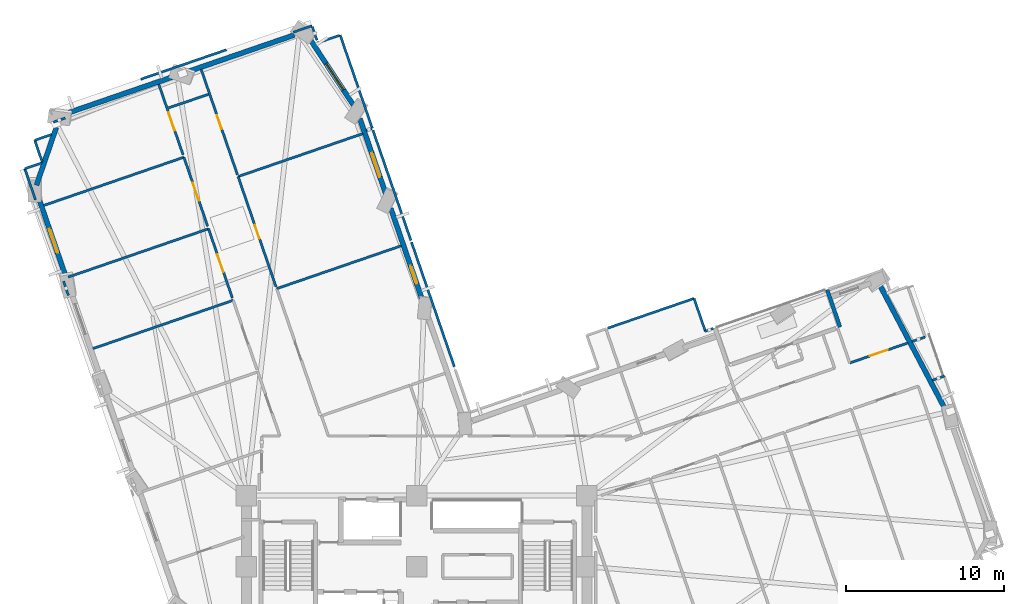
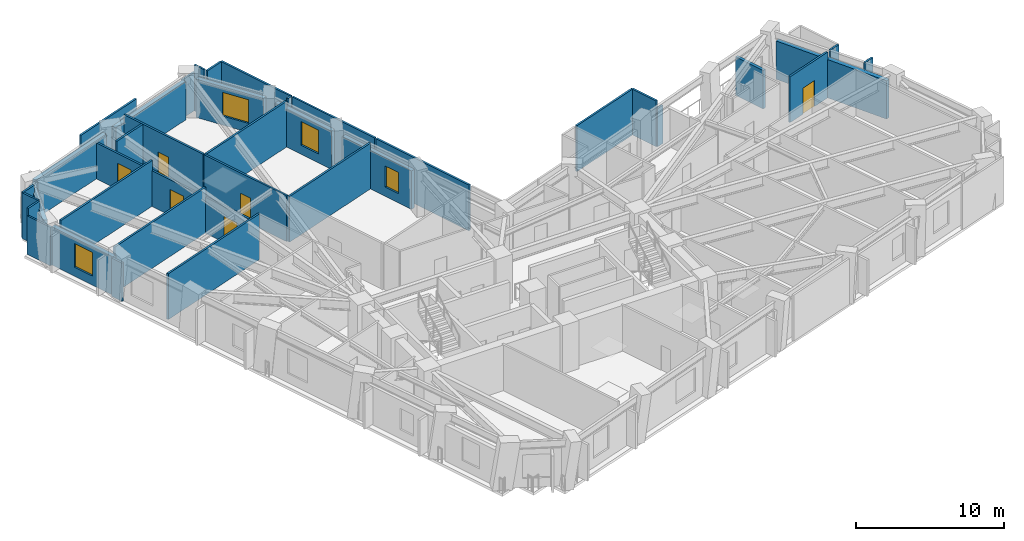
# One storey, part 10 of 15: 40 walls, 6 doors, 4 windows, 10 openings.
"""IFC4 building model written with IfcOpenShell, lengths in metres."""

from ifc_helpers import new_model, si_unit, direction, frame, frame_2d, origin, place, context, subcontext, project, spatial, rectangle, extrude, material, layer, layer_set, type_object, element, fill, save


model = new_model("IFC4")

# Units and contexts
model_context = context("Model", 3, precision=1e-05, world=origin(), true_north=direction((0.0, 1.0)))
body_context = subcontext(model_context, "Body", "Model", "MODEL_VIEW")
ifc_project = project(units=[si_unit("LENGTHUNIT", "METRE"), si_unit("AREAUNIT", "SQUARE_METRE"), si_unit("VOLUMEUNIT", "CUBIC_METRE"), si_unit("PLANEANGLEUNIT", "RADIAN"), si_unit("MASSUNIT", "GRAM", prefix="KILO")], contexts=[model_context])

# Site, building, storey
site_placement = place(None, origin())
site = spatial("IfcSite", under=ifc_project, at=site_placement, CompositionType="ELEMENT")
building_placement = place(site_placement, origin())
building = spatial("IfcBuilding", under=site, at=building_placement, Name="Gaonmaruhae Medical Tower", CompositionType="ELEMENT")
storey_placement = place(building_placement, frame((0.0, 0.0, 104.39990234375)))
storey = spatial("IfcBuildingStorey", under=building, at=storey_placement, Name="L24", CompositionType="ELEMENT", Elevation=104.39990234375)

# Walls
ifc_material_1 = material(Name="Precast concrete C45/55", Category="concrete")
ifc_layer_1 = layer(ifc_material_1, 0.239990234375)
ifc_layer_set_1 = layer_set([ifc_layer_1], Name="Precast concrete C45/55")
wall_type_1 = type_object("IfcWallType", Name="EW-240 Ribbon & Shelter Insulated Precast Wall", PredefinedType="SOLIDWALL", material=ifc_layer_set_1)
wall_1_placement = place(storey_placement, frame((51.65283203125, 27.483642578125, 0.0), z_axis=(0.0, 0.0, 1.0), x_axis=(-0.325587365823, 0.945511960377, 0.0)))
element("IfcWall", 1, at=wall_1_placement, inside=storey, type_object=wall_type_1, Name="L24 Recessed Terrace Enclosure Wall TERR", PredefinedType="SOLIDWALL", context=body_context, shape_type="SweptSolid", body=[
    extrude(rectangle(XDim=2.5, YDim=0.239990234375, at=frame_2d((1.25, 0.0))), origin(), (0.0, 0.0, 1.0), 3.1650390625),
])
ifc_layer_2 = layer(ifc_material_1, 0.320068359375)
ifc_layer_set_2 = layer_set([ifc_layer_2], Name="Precast concrete C45/55")
wall_type_2 = type_object("IfcWallType", Name="EW-320 Lower Precast Masonry-Frame Facade Wall", PredefinedType="SOLIDWALL", material=ifc_layer_set_2)
wall_2_placement = place(storey_placement, frame((54.187744140625, 30.12353515625, 0.0), z_axis=(0.0, 0.0, 1.0), x_axis=(0.466249594365, -0.884653217795, 0.0)))
element("IfcWall", 2, at=wall_2_placement, inside=storey, type_object=wall_type_2, Name="L24 Precast Masonry-Frame Wall E02-E03", PredefinedType="SOLIDWALL", context=body_context, shape_type="SweptSolid", body=[
    extrude(rectangle(XDim=8.837646484375, YDim=0.320068359375, at=frame_2d((4.4189453125, 0.0))), origin(), (0.0, 0.0, 1.0), 3.1650390625),
])

# Wall, opening, window
wall_3_placement = place(storey_placement, frame((23.154541015625, 35.017333984375, 0.0), z_axis=(0.0, 0.0, 1.0), x_axis=(0.325557790536, -0.94552214412, 0.0)))
wall_3 = element("IfcWall", 3, at=wall_3_placement, inside=storey, type_object=wall_type_2, Name="L24 Precast Masonry-Frame Wall NE01-NE02", PredefinedType="SOLIDWALL", context=body_context, shape_type="SweptSolid", body=[
    extrude(rectangle(XDim=6.222900390625, YDim=0.320068359375, at=frame_2d((3.111328125, 0.0))), origin(), (0.0, 0.0, 1.0), 3.1650390625),
])
opening_1_placement = place(wall_3_placement, frame((3.84619140625, 0.0, 0.75)))
opening_1 = element("IfcOpeningElement", 4, at=opening_1_placement, cuts=wall_3, Name="Opening WN-05", PredefinedType="OPENING", context=body_context, shape_type="SweptSolid", body=[
    extrude(rectangle(XDim=1.199951171875, YDim=1.75, at=frame_2d((0.60009765625, 0.875))), frame((0.0, 0.169921875, 0.0), z_axis=(0.0, -1.0, 0.0), x_axis=(1.0, 0.0, 0.0)), (0.0, 0.0, 1.0), 0.340087890625),
])
ifc_material_2 = material(Name="Anodised aluminium and Low-E double glazing", Category="aluminium")
window_type_1 = type_object("IfcWindowType", Name="WN-05 Support & Staff Punched Window 1200x1750", PartitioningType="SINGLE_PANEL", PredefinedType="WINDOW", material=ifc_material_2)
window_1_placement = place(opening_1_placement, origin())
window_1 = element("IfcWindow", 5, at=window_1_placement, inside=storey, type_object=window_type_1, Name="L24 Modular Facade Window NE01", OverallHeight=1.75, OverallWidth=1.199951171875, PartitioningType="SINGLE_PANEL", PredefinedType="WINDOW", context=body_context, shape_type="SweptSolid", body=[
    extrude(rectangle(XDim=1.199951171875, YDim=1.75, at=frame_2d((0.60009765625, 0.875))), frame((0.0, 0.030029296875, 0.0), z_axis=(0.0, -1.0, 0.0), x_axis=(1.0, 0.0, 0.0)), (0.0, 0.0, 1.0), 0.06005859375),
])
fill(opening_1, window_1)

wall_4_placement = place(storey_placement, frame((21.196533203125, 40.70361328125, 0.0), z_axis=(0.0, 0.0, 1.0), x_axis=(0.3255434245, -0.945527090445, 0.0)))
wall_4 = element("IfcWall", 6, at=wall_4_placement, inside=storey, type_object=wall_type_2, Name="L24 Precast Masonry-Frame Wall NE02-NE03", PredefinedType="SOLIDWALL", context=body_context, shape_type="SweptSolid", body=[
    extrude(rectangle(XDim=5.047119140625, YDim=0.320068359375, at=frame_2d((2.5234375, 0.0))), origin(), (0.0, 0.0, 1.0), 3.1650390625),
])
opening_2_placement = place(wall_4_placement, frame((2.302978515625, 0.0, 0.75)))
opening_2 = element("IfcOpeningElement", 7, at=opening_2_placement, cuts=wall_4, Name="Opening WN-01", PredefinedType="OPENING", context=body_context, shape_type="SweptSolid", body=[
    extrude(rectangle(XDim=1.60009765625, YDim=1.949951171875, at=frame_2d((0.800048828125, 0.97509765625))), frame((0.0, 0.169921875, 0.0), z_axis=(0.0, -1.0, 0.0), x_axis=(1.0, 0.0, 0.0)), (0.0, 0.0, 1.0), 0.340087890625),
])
window_type_2 = type_object("IfcWindowType", Name="WN-01 Ward Punched Acoustic Window 1600x1950", PartitioningType="SINGLE_PANEL", PredefinedType="WINDOW", material=ifc_material_2)
window_2_placement = place(opening_2_placement, origin())
window_2 = element("IfcWindow", 8, at=window_2_placement, inside=storey, type_object=window_type_2, Name="L24 Modular Facade Window NE02", OverallHeight=1.949951171875, OverallWidth=1.60009765625, PartitioningType="SINGLE_PANEL", PredefinedType="WINDOW", context=body_context, shape_type="SweptSolid", body=[
    extrude(rectangle(XDim=1.60009765625, YDim=1.949951171875, at=frame_2d((0.800048828125, 0.97509765625))), frame((0.0, 0.030029296875, 0.0), z_axis=(0.0, -1.0, 0.0), x_axis=(1.0, 0.0, 0.0)), (0.0, 0.0, 1.0), 0.06005859375),
])
fill(opening_2, window_2)

wall_5_placement = place(storey_placement, frame((17.955078125, 45.85986328125, 0.0), z_axis=(0.0, 0.0, 1.0), x_axis=(0.550210023936, -0.835026304712, 0.0)))
wall_5 = element("IfcWall", 9, at=wall_5_placement, inside=storey, type_object=wall_type_2, Name="L24 Precast Masonry-Frame Wall NE03-N01", PredefinedType="SOLIDWALL", context=body_context, shape_type="SweptSolid", body=[
    extrude(rectangle(XDim=5.128662109375, YDim=0.320068359375, at=frame_2d((2.564453125, 0.0))), origin(), (0.0, 0.0, 1.0), 3.1650390625),
])
opening_3_placement = place(wall_5_placement, frame((1.993408203125, 0.0, 0.75)))
opening_3 = element("IfcOpeningElement", 10, at=opening_3_placement, cuts=wall_5, Name="Opening WN-02", PredefinedType="OPENING", context=body_context, shape_type="SweptSolid", body=[
    extrude(rectangle(XDim=2.0, YDim=1.949951171875, at=frame_2d((1.0, 0.97509765625))), frame((0.0, 0.169921875, 0.0), z_axis=(0.0, -1.0, 0.0), x_axis=(1.0, 0.0, 0.0)), (0.0, 0.0, 1.0), 0.340087890625),
])
window_type_3 = type_object("IfcWindowType", Name="WN-02 Double-Bed Ward Punched Window 2000x1950", PartitioningType="SINGLE_PANEL", PredefinedType="WINDOW", material=ifc_material_2)
window_3_placement = place(opening_3_placement, origin())
window_3 = element("IfcWindow", 11, at=window_3_placement, inside=storey, type_object=window_type_3, Name="L24 Modular Facade Window NE03", OverallHeight=1.949951171875, OverallWidth=2.0, PartitioningType="SINGLE_PANEL", PredefinedType="WINDOW", context=body_context, shape_type="SweptSolid", body=[
    extrude(rectangle(XDim=2.0, YDim=1.949951171875, at=frame_2d((1.0, 0.97509765625))), frame((0.0, 0.030029296875, 0.0), z_axis=(0.0, -1.0, 0.0), x_axis=(1.0, 0.0, 0.0)), (0.0, 0.0, 1.0), 0.06005859375),
])
fill(opening_3, window_3)

# Walls
wall_6_placement = place(storey_placement, frame((10.202392578125, 43.659912109375, 0.0), z_axis=(0.0, 0.0, 1.0), x_axis=(0.945513903464, 0.325581723007, 0.0)))
element("IfcWall", 12, at=wall_6_placement, inside=storey, type_object=wall_type_2, Name="L24 Precast Masonry-Frame Wall N01-N02", PredefinedType="SOLIDWALL", context=body_context, shape_type="SweptSolid", body=[
    extrude(rectangle(XDim=7.23095703125, YDim=0.320068359375, at=frame_2d((3.615478515625, 0.0))), origin(), (0.0, 0.0, 1.0), 3.1650390625),
])
wall_7_placement = place(storey_placement, frame((2.426025390625, 40.982421875, 0.0), z_axis=(0.0, 0.0, 1.0), x_axis=(0.945517420699, 0.325571508512, 0.0)))
element("IfcWall", 13, at=wall_7_placement, inside=storey, type_object=wall_type_2, Name="L24 Precast Masonry-Frame Wall N02-N03", PredefinedType="SOLIDWALL", context=body_context, shape_type="SweptSolid", body=[
    extrude(rectangle(XDim=7.27001953125, YDim=0.320068359375, at=frame_2d((3.635009765625, 0.0))), origin(), (0.0, 0.0, 1.0), 3.1650390625),
])
wall_8_placement = place(storey_placement, frame((0.680419921875, 36.481689453125, 0.0), z_axis=(0.0, 0.0, 1.0), x_axis=(0.324313091485, 0.945949797131, 0.0)))
element("IfcWall", 14, at=wall_8_placement, inside=storey, type_object=wall_type_2, Name="L24 Precast Masonry-Frame Wall N03-W01", PredefinedType="SOLIDWALL", context=body_context, shape_type="SweptSolid", body=[
    extrude(rectangle(XDim=3.8896484375, YDim=0.320068359375, at=frame_2d((1.94482421875, 0.0))), origin(), (0.0, 0.0, 1.0), 3.1650390625),
])

# Wall, opening, window
wall_9_placement = place(storey_placement, frame((2.614990234375, 30.47314453125, 0.0), z_axis=(0.0, 0.0, 1.0), x_axis=(-0.325596232986, 0.94550890692, 0.0)))
wall_9 = element("IfcWall", 15, at=wall_9_placement, inside=storey, type_object=wall_type_2, Name="L24 Precast Masonry-Frame Wall W01-W02", PredefinedType="SOLIDWALL", context=body_context, shape_type="SweptSolid", body=[
    extrude(rectangle(XDim=5.455810546875, YDim=0.320068359375, at=frame_2d((2.72802734375, 0.0))), origin(), (0.0, 0.0, 1.0), 3.1650390625),
])
opening_4_placement = place(wall_9_placement, frame((1.828125, 0.0, 0.75)))
opening_4 = element("IfcOpeningElement", 16, at=opening_4_placement, cuts=wall_9, Name="Opening WN-01", PredefinedType="OPENING", context=body_context, shape_type="SweptSolid", body=[
    extrude(rectangle(XDim=1.60009765625, YDim=1.949951171875, at=frame_2d((0.800048828125, 0.97509765625))), frame((0.0, 0.169921875, 0.0), z_axis=(0.0, -1.0, 0.0), x_axis=(1.0, 0.0, 0.0)), (0.0, 0.0, 1.0), 0.340087890625),
])
window_4_placement = place(opening_4_placement, origin())
window_4 = element("IfcWindow", 17, at=window_4_placement, inside=storey, type_object=window_type_2, Name="L24 Modular Facade Window W01", OverallHeight=1.949951171875, OverallWidth=1.60009765625, PartitioningType="SINGLE_PANEL", PredefinedType="WINDOW", context=body_context, shape_type="SweptSolid", body=[
    extrude(rectangle(XDim=1.60009765625, YDim=1.949951171875, at=frame_2d((0.800048828125, 0.97509765625))), frame((0.0, 0.030029296875, 0.0), z_axis=(0.0, -1.0, 0.0), x_axis=(1.0, 0.0, 0.0)), (0.0, 0.0, 1.0), 0.06005859375),
])
fill(opening_4, window_4)

# Walls
ifc_material_3 = material(Name="Gypsum board partition", Category="gypsum")
ifc_layer_3 = layer(ifc_material_3, 0.14990234375)
ifc_layer_set_3 = layer_set([ifc_layer_3], Name="Gypsum board partition")
wall_type_3 = type_object("IfcWallType", Name="PW-150 Rated Clinical Corridor Partition", PredefinedType="PARTITIONING", material=ifc_layer_set_3)
for number, where, z_axis, x_axis, name in (
    (18, (4.257080078125, 26.118896484375, 0.0), (0.0, 0.0, 1.0), (0.945517565291, 0.325571088592, 0.0), "L24 Interior Partition L24-WOF15-46"),
    (19, (2.694091796875, 30.656982421875, 0.0), (0.0, 0.0, 1.0), (0.945525547677, 0.325547905368, 0.0), "L24 Interior Partition L24-WOF16-49"),
):
    element("IfcWall", number, at=place(storey_placement, frame(where, z_axis=z_axis, x_axis=x_axis)), inside=storey, type_object=wall_type_3, Name=name, PredefinedType="PARTITIONING", context=body_context, shape_type="SweptSolid", body=[
        extrude(rectangle(XDim=9.414794921875, YDim=0.14990234375, at=frame_2d((4.70751953125, 0.0))), origin(), (0.0, 0.0, 1.0), 3.780029296875),
    ])

# Wall, opening, door
wall_10_placement = place(storey_placement, frame((11.595947265625, 33.721923828125, 0.0), z_axis=(0.0, 0.0, 1.0), x_axis=(0.325651749866, -0.945489787258, 0.0)))
wall_10 = element("IfcWall", 20, at=wall_10_placement, inside=storey, type_object=wall_type_3, Name="L24 Interior Partition L24-WOF16-50", PredefinedType="PARTITIONING", context=body_context, shape_type="SweptSolid", body=[
    extrude(rectangle(XDim=4.639892578125, YDim=0.14990234375, at=frame_2d((2.31982421875, 0.0))), origin(), (0.0, 0.0, 1.0), 2.965087890625),
])
opening_5_placement = place(wall_10_placement, frame((1.719970703125, 0.0, 0.0)))
opening_5 = element("IfcOpeningElement", 21, at=opening_5_placement, cuts=wall_10, Name="Opening CD-02", PredefinedType="OPENING", context=body_context, shape_type="SweptSolid", body=[
    extrude(rectangle(XDim=1.199951171875, YDim=2.14990234375, at=frame_2d((0.60009765625, 1.074951171875))), frame((0.0, 0.0849609375, 0.0), z_axis=(0.0, -1.0, 0.0), x_axis=(1.0, 0.0, 0.0)), (0.0, 0.0, 1.0), 0.169921875),
])
ifc_material_4 = material(Name="Antimicrobial laminate timber fire door", Category="wood")
door_type_1 = type_object("IfcDoorType", Name="CD-02 Clinical Treatment & Procedure Door 1200x2150", OperationType="NOTDEFINED", PredefinedType="DOOR", material=ifc_material_4)
door_1_placement = place(opening_5_placement, origin())
door_1 = element("IfcDoor", 22, at=door_1_placement, inside=storey, type_object=door_type_1, Name="L24 Ward Physician Reporting Office Door", OperationType="SINGLE_SWING_RIGHT", OverallHeight=2.14990234375, OverallWidth=1.199951171875, PredefinedType="DOOR", context=body_context, shape_type="SweptSolid", body=[
    extrude(rectangle(XDim=1.199951171875, YDim=2.14990234375, at=frame_2d((0.60009765625, 1.074951171875))), frame((0.0, 0.02490234375, 0.0), z_axis=(0.0, -1.0, 0.0), x_axis=(1.0, 0.0, 0.0)), (0.0, 0.0, 1.0), 0.050048828125),
])
fill(opening_5, door_1)

# Walls
wall_11_placement = place(storey_placement, frame((2.7099609375, 29.489990234375, 0.0), z_axis=(0.0, 0.0, 1.0), x_axis=(-0.325896670091, 0.94540539475, 0.0)))
element("IfcWall", 23, at=wall_11_placement, inside=storey, type_object=wall_type_3, Name="L24 Interior Partition L24-WOF16-51", PredefinedType="PARTITIONING", context=body_context, shape_type="SweptSolid", body=[
    extrude(rectangle(XDim=0.96044921875, YDim=0.14990234375, at=frame_2d((0.480224609375, 0.0))), origin(), (0.0, 0.0, 1.0), 3.1650390625),
])
wall_12_placement = place(storey_placement, frame((1.131103515625, 35.196044921875, 0.0), z_axis=(0.0, 0.0, 1.0), x_axis=(0.945536539221, 0.325515979635, 0.0)))
element("IfcWall", 24, at=wall_12_placement, inside=storey, type_object=wall_type_3, Name="L24 Interior Partition L24-WOF17-52", PredefinedType="PARTITIONING", context=body_context, shape_type="SweptSolid", body=[
    extrude(rectangle(XDim=9.41552734375, YDim=0.14990234375, at=frame_2d((4.707763671875, 0.0))), origin(), (0.0, 0.0, 1.0), 3.780029296875),
])

# Wall, opening, door
wall_13_placement = place(storey_placement, frame((10.033935546875, 38.260986328125, 0.0), z_axis=(0.0, 0.0, 1.0), x_axis=(0.32546357949, -0.94555457718, 0.0)))
wall_13 = element("IfcWall", 25, at=wall_13_placement, inside=storey, type_object=wall_type_3, Name="L24 Interior Partition L24-WOF17-53", PredefinedType="PARTITIONING", context=body_context, shape_type="SweptSolid", body=[
    extrude(rectangle(XDim=4.6396484375, YDim=0.14990234375, at=frame_2d((2.31982421875, 0.0))), origin(), (0.0, 0.0, 1.0), 2.965087890625),
])
opening_6_placement = place(wall_13_placement, frame((1.7197265625, 0.0, 0.0)))
opening_6 = element("IfcOpeningElement", 26, at=opening_6_placement, cuts=wall_13, Name="Opening CD-02", PredefinedType="OPENING", context=body_context, shape_type="SweptSolid", body=[
    extrude(rectangle(XDim=1.199951171875, YDim=2.14990234375, at=frame_2d((0.60009765625, 1.074951171875))), frame((0.0, 0.0849609375, 0.0), z_axis=(0.0, -1.0, 0.0), x_axis=(1.0, 0.0, 0.0)), (0.0, 0.0, 1.0), 0.169921875),
])
door_2_placement = place(opening_6_placement, origin())
door_2 = element("IfcDoor", 27, at=door_2_placement, inside=storey, type_object=door_type_1, Name="L24 Ward Physician Reporting Office Door", OperationType="SINGLE_SWING_RIGHT", OverallHeight=2.14990234375, OverallWidth=1.199951171875, PredefinedType="DOOR", context=body_context, shape_type="SweptSolid", body=[
    extrude(rectangle(XDim=1.199951171875, YDim=2.14990234375, at=frame_2d((0.60009765625, 1.074951171875))), frame((0.0, 0.02490234375, 0.0), z_axis=(0.0, -1.0, 0.0), x_axis=(1.0, 0.0, 0.0)), (0.0, 0.0, 1.0), 0.050048828125),
])
fill(opening_6, door_2)

# Walls
wall_14_placement = place(storey_placement, frame((0.56689453125, 39.337890625, 0.0), z_axis=(0.0, 0.0, 1.0), x_axis=(0.945727777546, 0.324959952575, 0.0)))
element("IfcWall", 28, at=wall_14_placement, inside=storey, type_object=wall_type_3, Name="L24 Interior Partition L24-WOF18-54", PredefinedType="PARTITIONING", context=body_context, shape_type="SweptSolid", body=[
    extrude(rectangle(XDim=1.138916015625, YDim=0.14990234375, at=frame_2d((0.5693359375, 0.0))), origin(), (0.0, 0.0, 1.0), 3.780029296875),
])
wall_15_placement = place(storey_placement, frame((1.758056640625, 40.488037109375, 0.0), z_axis=(0.0, 0.0, 1.0), x_axis=(0.945461369306, 0.325734246205, 0.0)))
element("IfcWall", 29, at=wall_15_placement, inside=storey, type_object=wall_type_3, Name="L24 Interior Partition L24-WOF18-55", PredefinedType="PARTITIONING", context=body_context, shape_type="SweptSolid", body=[
    extrude(rectangle(XDim=0.792236328125, YDim=0.14990234375, at=frame_2d((0.39599609375, 0.0))), origin(), (0.0, 0.0, 1.0), 3.1650390625),
])

# Wall, opening, door
wall_16_placement = place(storey_placement, frame((8.44189453125, 42.884033203125, 0.0), z_axis=(0.0, 0.0, 1.0), x_axis=(0.325612045408, -0.945503461594, 0.0)))
wall_16 = element("IfcWall", 30, at=wall_16_placement, inside=storey, type_object=wall_type_3, Name="L24 Interior Partition L24-WOF18-56", PredefinedType="PARTITIONING", context=body_context, shape_type="SweptSolid", body=[
    extrude(rectangle(XDim=4.729736328125, YDim=0.14990234375, at=frame_2d((2.36474609375, 0.0))), origin(), (0.0, 0.0, 1.0), 2.965087890625),
])
opening_7_placement = place(wall_16_placement, frame((1.890380859375, 0.0, 0.0)))
opening_7 = element("IfcOpeningElement", 31, at=opening_7_placement, cuts=wall_16, Name="Opening CD-02", PredefinedType="OPENING", context=body_context, shape_type="SweptSolid", body=[
    extrude(rectangle(XDim=1.199951171875, YDim=2.14990234375, at=frame_2d((0.60009765625, 1.074951171875))), frame((0.0, 0.0849609375, 0.0), z_axis=(0.0, -1.0, 0.0), x_axis=(1.0, 0.0, 0.0)), (0.0, 0.0, 1.0), 0.169921875),
])
door_3_placement = place(opening_7_placement, origin())
door_3 = element("IfcDoor", 32, at=door_3_placement, inside=storey, type_object=door_type_1, Name="L24 Ward Physician Reporting Office Door", OperationType="SINGLE_SWING_RIGHT", OverallHeight=2.14990234375, OverallWidth=1.199951171875, PredefinedType="DOOR", context=body_context, shape_type="SweptSolid", body=[
    extrude(rectangle(XDim=1.199951171875, YDim=2.14990234375, at=frame_2d((0.60009765625, 1.074951171875))), frame((0.0, 0.02490234375, 0.0), z_axis=(0.0, -1.0, 0.0), x_axis=(1.0, 0.0, 0.0)), (0.0, 0.0, 1.0), 0.050048828125),
])
fill(opening_7, door_3)

# Walls
wall_17_placement = place(storey_placement, frame((0.62109375, 35.556884765625, 0.0), z_axis=(0.0, 0.0, 1.0), x_axis=(-0.325595038059, 0.945509318405, 0.0)))
element("IfcWall", 33, at=wall_17_placement, inside=storey, type_object=wall_type_3, Name="L24 Interior Partition L24-WOF18-57", PredefinedType="PARTITIONING", context=body_context, shape_type="SweptSolid", body=[
    extrude(rectangle(XDim=2.092041015625, YDim=0.14990234375, at=frame_2d((1.0458984375, 0.0))), origin(), (0.0, 0.0, 1.0), 3.1650390625),
])
wall_18_placement = place(storey_placement, frame((-0.06005859375, 37.534912109375, 0.0), z_axis=(0.0, 0.0, 1.0), x_axis=(0.94560292547, 0.325323081478, 0.0)))
element("IfcWall", 34, at=wall_18_placement, inside=storey, type_object=wall_type_3, Name="L24 Interior Partition L24-WOF18-58", PredefinedType="PARTITIONING", context=body_context, shape_type="SweptSolid", body=[
    extrude(rectangle(XDim=1.149658203125, YDim=0.14990234375, at=frame_2d((0.57470703125, 0.0))), origin(), (0.0, 0.0, 1.0), 3.780029296875),
])
wall_19_placement = place(storey_placement, frame((1.04296875, 37.9560546875, 0.0), z_axis=(0.0, 0.0, 1.0), x_axis=(-0.325733272808, 0.945461704664, 0.0)))
element("IfcWall", 35, at=wall_19_placement, inside=storey, type_object=wall_type_3, Name="L24 Interior Partition L24-WOF18-59", PredefinedType="PARTITIONING", context=body_context, shape_type="SweptSolid", body=[
    extrude(rectangle(XDim=1.46142578125, YDim=0.14990234375, at=frame_2d((0.730712890625, 0.0))), origin(), (0.0, 0.0, 1.0), 3.780029296875),
])
wall_20_placement = place(storey_placement, frame((43.110107421875, 27.22900390625, 0.0), z_axis=(0.0, 0.0, 1.0), x_axis=(0.945949955422, 0.324312629784, 0.0)))
element("IfcWall", 36, at=wall_20_placement, inside=storey, type_object=wall_type_3, Name="L24 Interior Partition L24-IE04-77", PredefinedType="PARTITIONING", context=body_context, shape_type="SweptSolid", body=[
    extrude(rectangle(XDim=0.53369140625, YDim=0.14990234375, at=frame_2d((0.266845703125, 0.0))), origin(), (0.0, 0.0, 1.0), 3.14501953125),
])
wall_21_placement = place(storey_placement, frame((36.912109375, 27.4208984375, 0.0), z_axis=(0.0, 0.0, 1.0), x_axis=(0.945486583666, 0.325661050952, 0.0)))
element("IfcWall", 37, at=wall_21_placement, inside=storey, type_object=wall_type_3, Name="L24 Interior Partition L24-IE04-80", PredefinedType="PARTITIONING", context=body_context, shape_type="SweptSolid", body=[
    extrude(rectangle(XDim=5.798095703125, YDim=0.14990234375, at=frame_2d((2.89892578125, 0.0))), origin(), (0.0, 0.0, 1.0), 3.780029296875),
])
wall_22_placement = place(storey_placement, frame((42.39404296875, 29.30908203125, 0.0), z_axis=(0.0, 0.0, 1.0), x_axis=(0.325501553488, -0.945541505529, 0.0)))
element("IfcWall", 38, at=wall_22_placement, inside=storey, type_object=wall_type_3, Name="L24 Interior Partition L24-IE04-81", PredefinedType="PARTITIONING", context=body_context, shape_type="SweptSolid", body=[
    extrude(rectangle(XDim=2.199951171875, YDim=0.14990234375, at=frame_2d((1.10009765625, 0.0))), origin(), (0.0, 0.0, 1.0), 3.780029296875),
])
wall_23_placement = place(storey_placement, frame((57.048095703125, 26.85595703125, 0.0), z_axis=(0.0, 0.0, 1.0), x_axis=(-0.94562275495, -0.325265438251, 0.0)))
element("IfcWall", 39, at=wall_23_placement, inside=storey, type_object=wall_type_3, Name="L24 Interior Partition L24-IE06-90", PredefinedType="PARTITIONING", context=body_context, shape_type="SweptSolid", body=[
    extrude(rectangle(XDim=0.8818359375, YDim=0.14990234375, at=frame_2d((0.44091796875, 0.0))), origin(), (0.0, 0.0, 1.0), 3.780029296875),
])

# Wall, opening, door
wall_24_placement = place(storey_placement, frame((55.9560546875, 26.47998046875, 0.0), z_axis=(0.0, 0.0, 1.0), x_axis=(-0.94553379692, -0.325523945174, 0.0)))
wall_24 = element("IfcWall", 40, at=wall_24_placement, inside=storey, type_object=wall_type_3, Name="L24 Interior Partition L24-IE06-91", PredefinedType="PARTITIONING", context=body_context, shape_type="SweptSolid", body=[
    extrude(rectangle(XDim=3.9013671875, YDim=0.14990234375, at=frame_2d((1.95068359375, 0.0))), origin(), (0.0, 0.0, 1.0), 3.780029296875),
])
opening_8_placement = place(wall_24_placement, frame((1.3505859375, 0.0, 0.0)))
opening_8 = element("IfcOpeningElement", 41, at=opening_8_placement, cuts=wall_24, Name="Opening CD-02", PredefinedType="OPENING", context=body_context, shape_type="SweptSolid", body=[
    extrude(rectangle(XDim=1.199951171875, YDim=2.14990234375, at=frame_2d((0.60009765625, 1.074951171875))), frame((0.0, 0.0849609375, 0.0), z_axis=(0.0, -1.0, 0.0), x_axis=(1.0, 0.0, 0.0)), (0.0, 0.0, 1.0), 0.169921875),
])
door_4_placement = place(opening_8_placement, origin())
door_4 = element("IfcDoor", 42, at=door_4_placement, inside=storey, type_object=door_type_1, Name="L24 Multidisciplinary Clinical Consultation Room Door", OperationType="SINGLE_SWING_RIGHT", OverallHeight=2.14990234375, OverallWidth=1.199951171875, PredefinedType="DOOR", context=body_context, shape_type="SweptSolid", body=[
    extrude(rectangle(XDim=1.199951171875, YDim=2.14990234375, at=frame_2d((0.60009765625, 1.074951171875))), frame((0.0, 0.02490234375, 0.0), z_axis=(0.0, -1.0, 0.0), x_axis=(1.0, 0.0, 0.0)), (0.0, 0.0, 1.0), 0.050048828125),
])
fill(opening_8, door_4)

# Walls
wall_25_placement = place(storey_placement, frame((15.9189453125, 29.923095703125, 0.0), z_axis=(0.0, 0.0, 1.0), x_axis=(0.945531989451, 0.325529195195, 0.0)))
element("IfcWall", 43, at=wall_25_placement, inside=storey, type_object=wall_type_3, Name="L24 Interior Partition L24-IN01-95", PredefinedType="PARTITIONING", context=body_context, shape_type="SweptSolid", body=[
    extrude(rectangle(XDim=8.364501953125, YDim=0.14990234375, at=frame_2d((4.18212890625, 0.0))), origin(), (0.0, 0.0, 1.0), 3.780029296875),
])
wall_26_placement = place(storey_placement, frame((24.47607421875, 32.868896484375, 0.0), z_axis=(0.0, 0.0, 1.0), x_axis=(0.325512510364, -0.945537733566, 0.0)))
element("IfcWall", 44, at=wall_26_placement, inside=storey, type_object=wall_type_3, Name="L24 Interior Partition L24-IN01-96", PredefinedType="PARTITIONING", context=body_context, shape_type="SweptSolid", body=[
    extrude(rectangle(XDim=8.34033203125, YDim=0.14990234375, at=frame_2d((4.170166015625, 0.0))), origin(), (0.0, 0.0, 1.0), 3.780029296875),
])

# Wall, opening, door
wall_27_placement = place(storey_placement, frame((15.8798828125, 30.035888671875, 0.0), z_axis=(0.0, 0.0, 1.0), x_axis=(-0.325525994822, 0.945533091274, 0.0)))
wall_27 = element("IfcWall", 45, at=wall_27_placement, inside=storey, type_object=wall_type_3, Name="L24 Interior Partition L24-IN02-97", PredefinedType="PARTITIONING", context=body_context, shape_type="SweptSolid", body=[
    extrude(rectangle(XDim=7.400146484375, YDim=0.14990234375, at=frame_2d((3.7001953125, 0.0))), origin(), (0.0, 0.0, 1.0), 3.780029296875),
])
opening_9_placement = place(wall_27_placement, frame((3.239990234375, 0.0, 0.0)))
opening_9 = element("IfcOpeningElement", 46, at=opening_9_placement, cuts=wall_27, Name="Opening UD-01", PredefinedType="OPENING", context=body_context, shape_type="SweptSolid", body=[
    extrude(rectangle(XDim=0.919921875, YDim=2.10009765625, at=frame_2d((0.4599609375, 1.050048828125))), frame((0.0, 0.0849609375, 0.0), z_axis=(0.0, -1.0, 0.0), x_axis=(1.0, 0.0, 0.0)), (0.0, 0.0, 1.0), 0.169921875),
])
ifc_material_5 = material(Name="Powder-coated steel utility door", Category="steel")
door_type_2 = type_object("IfcDoorType", Name="UD-01 Toilet, Utility & Housekeeping Door 920x2100", OperationType="NOTDEFINED", PredefinedType="DOOR", material=ifc_material_5)
door_5_placement = place(opening_9_placement, origin())
door_5 = element("IfcDoor", 47, at=door_5_placement, inside=storey, type_object=door_type_2, Name="L24 Ward Nutrition Pantry Door", OperationType="SINGLE_SWING_LEFT", OverallHeight=2.10009765625, OverallWidth=0.919921875, PredefinedType="DOOR", context=body_context, shape_type="SweptSolid", body=[
    extrude(rectangle(XDim=0.919921875, YDim=2.10009765625, at=frame_2d((0.4599609375, 1.050048828125))), frame((0.0, 0.02490234375, 0.0), z_axis=(0.0, -1.0, 0.0), x_axis=(1.0, 0.0, 0.0)), (0.0, 0.0, 1.0), 0.050048828125),
])
fill(opening_9, door_5)

# Walls
wall_28_placement = place(storey_placement, frame((13.470947265625, 37.032958984375, 0.0), z_axis=(0.0, 0.0, 1.0), x_axis=(0.945523005287, 0.325555289426, 0.0)))
element("IfcWall", 48, at=wall_28_placement, inside=storey, type_object=wall_type_3, Name="L24 Interior Partition L24-IN02-98", PredefinedType="PARTITIONING", context=body_context, shape_type="SweptSolid", body=[
    extrude(rectangle(XDim=8.364501953125, YDim=0.14990234375, at=frame_2d((4.18212890625, 0.0))), origin(), (0.0, 0.0, 1.0), 3.780029296875),
])
wall_29_placement = place(storey_placement, frame((22.028076171875, 39.97900390625, 0.0), z_axis=(0.0, 0.0, 1.0), x_axis=(0.325566618003, -0.945519104641, 0.0)))
element("IfcWall", 49, at=wall_29_placement, inside=storey, type_object=wall_type_3, Name="L24 Interior Partition L24-IN02-99", PredefinedType="PARTITIONING", context=body_context, shape_type="SweptSolid", body=[
    extrude(rectangle(XDim=7.399169921875, YDim=0.14990234375, at=frame_2d((3.69970703125, 0.0))), origin(), (0.0, 0.0, 1.0), 3.780029296875),
])
wall_30_placement = place(storey_placement, frame((19.949951171875, 46.011962890625, 0.0), z_axis=(0.0, 0.0, 1.0), x_axis=(0.325711839192, -0.945469088765, 0.0)))
element("IfcWall", 50, at=wall_30_placement, inside=storey, type_object=wall_type_3, Name="L24 Interior Partition L24-IN03-100", PredefinedType="PARTITIONING", context=body_context, shape_type="SweptSolid", body=[
    extrude(rectangle(XDim=6.26025390625, YDim=0.14990234375, at=frame_2d((3.130126953125, 0.0))), origin(), (0.0, 0.0, 1.0), 3.780029296875),
])
wall_31_placement = place(storey_placement, frame((21.94189453125, 40.076904296875, 0.0), z_axis=(0.0, 0.0, 1.0), x_axis=(-0.945705832759, -0.325023811259, 0.0)))
element("IfcWall", 51, at=wall_31_placement, inside=storey, type_object=wall_type_3, Name="L24 Interior Partition L24-IN03-101", PredefinedType="PARTITIONING", context=body_context, shape_type="SweptSolid", body=[
    extrude(rectangle(XDim=0.36572265625, YDim=0.14990234375, at=frame_2d((0.182861328125, 0.0))), origin(), (0.0, 0.0, 1.0), 3.780029296875),
])

# Wall, opening, door
wall_32_placement = place(storey_placement, frame((13.431884765625, 37.14599609375, 0.0), z_axis=(0.0, 0.0, 1.0), x_axis=(-0.325621666286, 0.945500148305, 0.0)))
wall_32 = element("IfcWall", 52, at=wall_32_placement, inside=storey, type_object=wall_type_3, Name="L24 Interior Partition L24-IN03-102", PredefinedType="PARTITIONING", context=body_context, shape_type="SweptSolid", body=[
    extrude(rectangle(XDim=7.075439453125, YDim=0.14990234375, at=frame_2d((3.53759765625, 0.0))), origin(), (0.0, 0.0, 1.0), 3.780029296875),
])
opening_10_placement = place(wall_32_placement, frame((3.077880859375, 0.0, 0.0)))
opening_10 = element("IfcOpeningElement", 53, at=opening_10_placement, cuts=wall_32, Name="Opening UD-01", PredefinedType="OPENING", context=body_context, shape_type="SweptSolid", body=[
    extrude(rectangle(XDim=0.919921875, YDim=2.10009765625, at=frame_2d((0.4599609375, 1.050048828125))), frame((0.0, 0.0849609375, 0.0), z_axis=(0.0, -1.0, 0.0), x_axis=(1.0, 0.0, 0.0)), (0.0, 0.0, 1.0), 0.169921875),
])
door_6_placement = place(opening_10_placement, origin())
door_6 = element("IfcDoor", 54, at=door_6_placement, inside=storey, type_object=door_type_2, Name="L24 Public Visitor Toilet Door", OperationType="SINGLE_SWING_LEFT", OverallHeight=2.10009765625, OverallWidth=0.919921875, PredefinedType="DOOR", context=body_context, shape_type="SweptSolid", body=[
    extrude(rectangle(XDim=0.919921875, YDim=2.10009765625, at=frame_2d((0.4599609375, 1.050048828125))), frame((0.0, 0.02490234375, 0.0), z_axis=(0.0, -1.0, 0.0), x_axis=(1.0, 0.0, 0.0)), (0.0, 0.0, 1.0), 0.050048828125),
])
fill(opening_10, door_6)

# Walls
wall_33_placement = place(storey_placement, frame((16.97705078125, 46.193115234375, 0.0), z_axis=(0.0, 0.0, 1.0), x_axis=(0.945437195441, 0.325804403709, 0.0)))
element("IfcWall", 55, at=wall_33_placement, inside=storey, type_object=wall_type_3, Name="L24 Interior Partition L24-IN03-103", PredefinedType="PARTITIONING", context=body_context, shape_type="SweptSolid", body=[
    extrude(rectangle(XDim=1.252197265625, YDim=0.14990234375, at=frame_2d((0.6259765625, 0.0))), origin(), (0.0, 0.0, 1.0), 3.1650390625),
])
wall_34_placement = place(storey_placement, frame((18.177001953125, 46.553955078125, 0.0), z_axis=(0.0, 0.0, 1.0), x_axis=(0.325817979982, -0.945432516852, 0.0)))
element("IfcWall", 56, at=wall_34_placement, inside=storey, type_object=wall_type_3, Name="L24 Interior Partition L24-IN03-104", PredefinedType="PARTITIONING", context=body_context, shape_type="SweptSolid", body=[
    extrude(rectangle(XDim=0.914794921875, YDim=0.14990234375, at=frame_2d((0.45751953125, 0.0))), origin(), (0.0, 0.0, 1.0), 3.780029296875),
])
wall_35_placement = place(storey_placement, frame((18.531982421875, 45.52294921875, 0.0), z_axis=(0.0, 0.0, 1.0), x_axis=(0.945297828625, 0.326208545562, 0.0)))
element("IfcWall", 57, at=wall_35_placement, inside=storey, type_object=wall_type_3, Name="L24 Interior Partition L24-IN03-105", PredefinedType="PARTITIONING", context=body_context, shape_type="SweptSolid", body=[
    extrude(rectangle(XDim=1.450439453125, YDim=0.14990234375, at=frame_2d((0.72509765625, 0.0))), origin(), (0.0, 0.0, 1.0), 3.780029296875),
])
wall_36_placement = place(storey_placement, frame((11.597900390625, 42.2490234375, 0.0), z_axis=(0.0, 0.0, 1.0), x_axis=(-0.947776788702, -0.318934411436, 0.0)))
element("IfcWall", 58, at=wall_36_placement, inside=storey, type_object=wall_type_3, Name="L24 Interior Partition L24-RM01-106", PredefinedType="PARTITIONING", context=body_context, shape_type="SweptSolid", body=[
    extrude(rectangle(XDim=2.677734375, YDim=0.14990234375, at=frame_2d((1.3388671875, 0.0))), origin(), (0.0, 0.0, 1.0), 3.780029296875),
])
wall_37_placement = place(storey_placement, frame((7.302978515625, 43.2119140625, 0.0), z_axis=(0.0, 0.0, 1.0), x_axis=(0.945545526699, 0.325489872253, 0.0)))
element("IfcWall", 59, at=wall_37_placement, inside=storey, type_object=wall_type_3, Name="L24 Interior Partition L24-RM01-107", PredefinedType="PARTITIONING", context=body_context, shape_type="SweptSolid", body=[
    extrude(rectangle(XDim=5.739501953125, YDim=0.14990234375, at=frame_2d((2.86962890625, 0.0))), origin(), (0.0, 0.0, 1.0), 3.780029296875),
])
wall_38_placement = place(storey_placement, frame((57.507080078125, 24.115966796875, 0.0), z_axis=(0.0, 0.0, 1.0), x_axis=(0.945657936565, 0.325163139071, 0.0)))
element("IfcWall", 60, at=wall_38_placement, inside=storey, type_object=wall_type_3, Name="L24 Interior Partition L24-RM04-112", PredefinedType="PARTITIONING", context=body_context, shape_type="SweptSolid", body=[
    extrude(rectangle(XDim=0.818359375, YDim=0.14990234375, at=frame_2d((0.4091796875, 0.0))), origin(), (0.0, 0.0, 1.0), 3.780029296875),
])

save(model, "model.ifc")
